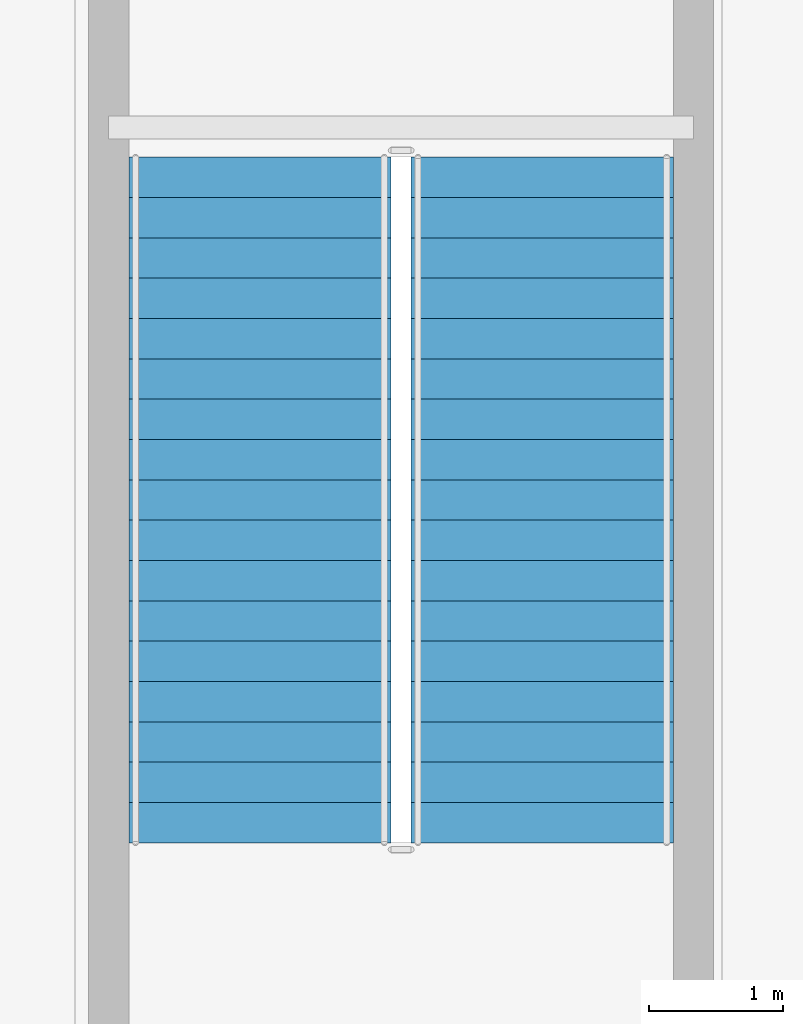
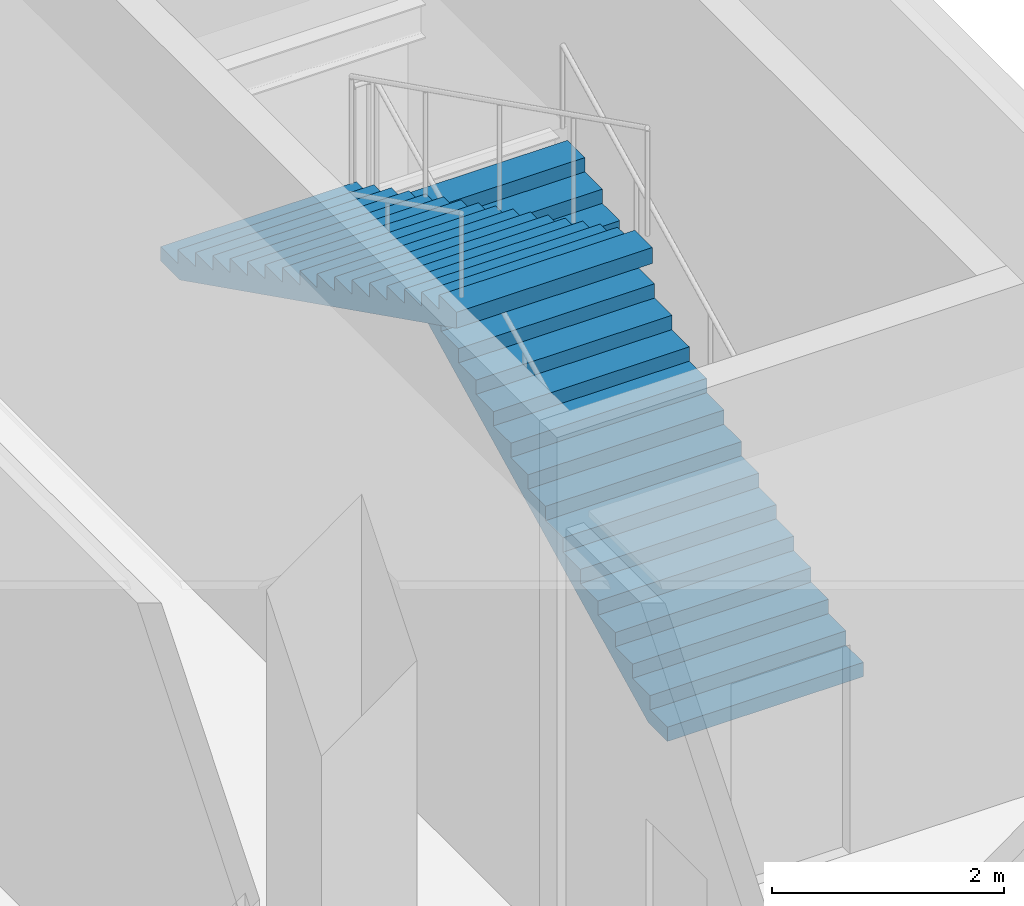
# One storey, part 32 of 43: 2 stair flights, 1 element without a shape of its own.
"""IFC4 building model written with IfcOpenShell, lengths in metres."""

from ifc_helpers import new_model, si_unit, direction, frame, origin, place, context, subcontext, project, spatial, polyline, outline, extrude, material, type_object, element, aggregate, save


model = new_model("IFC4")

# Units and contexts
model_context = context("Model", 3, precision=1e-05, world=origin(), true_north=direction((0.0, 1.0)))
body_context = subcontext(model_context, "Body", "Model", "MODEL_VIEW")
ifc_project = project(units=[si_unit("LENGTHUNIT", "METRE"), si_unit("AREAUNIT", "SQUARE_METRE"), si_unit("VOLUMEUNIT", "CUBIC_METRE"), si_unit("PLANEANGLEUNIT", "RADIAN"), si_unit("MASSUNIT", "GRAM", prefix="KILO")], contexts=[model_context])

# Site, building, storey
site_placement = place(None, origin())
site = spatial("IfcSite", under=ifc_project, at=site_placement, CompositionType="ELEMENT")
building_placement = place(site_placement, origin())
building = spatial("IfcBuilding", under=site, at=building_placement, Name="Punatoya Terracotta Tower", CompositionType="ELEMENT")
storey_placement = place(building_placement, frame((0.0, 0.0, 6.0)))
storey = spatial("IfcBuildingStorey", under=building, at=storey_placement, Name="L01", CompositionType="ELEMENT", Elevation=6.0)

# Stair, stair flights
ifc_material = material(Name="Concrete C40/50", Category="concrete")
stair_type = type_object("IfcStairType", Name="STR-POD-1800", PredefinedType="HALF_TURN_STAIR", material=ifc_material)
stair_placement = place(storey_placement, origin())
stair = element("IfcStair", 1, at=stair_placement, inside=storey, type_object=stair_type, Name="L01 Podium East Exit Stair ST-P2", PredefinedType="HALF_TURN_STAIR")
stair_flight_type = type_object("IfcStairFlightType", Name="SFL-POD-1800", PredefinedType="STRAIGHT", material=ifc_material)
stair_flight_1_placement = place(storey_placement, frame((33.574951171875, -6.85009765625, 0.0), z_axis=(0.0, 0.0, 1.0), x_axis=(0.0, 1.0, 0.0)))
stair_flight_1 = element("IfcStairFlight", 2, at=stair_flight_1_placement, type_object=stair_flight_type, Name="ST-P2 flight 1", NumberOfRisers=18, NumberOfTreads=17, PredefinedType="STRAIGHT", RiserHeight=0.15, TreadLength=0.3, context=body_context, shape_type="SweptSolid", body=[
    extrude(outline(polyline([(0.0, 0.0), (0.0, 0.14990234375), (0.300048828125, 0.14990234375), (0.300048828125, 0.300048828125), (0.60009765625, 0.300048828125), (0.60009765625, 0.449951171875), (0.89990234375, 0.449951171875), (0.89990234375, 0.60009765625), (1.199951171875, 0.60009765625), (1.199951171875, 0.75), (1.5, 0.75), (1.5, 0.89990234375), (1.800048828125, 0.89990234375), (1.800048828125, 1.050048828125), (2.10009765625, 1.050048828125), (2.10009765625, 1.199951171875), (2.39990234375, 1.199951171875), (2.39990234375, 1.35009765625), (2.699951171875, 1.35009765625), (2.699951171875, 1.5), (3.0, 1.5), (3.0, 1.64990234375), (3.300048828125, 1.64990234375), (3.300048828125, 1.800048828125), (3.60009765625, 1.800048828125), (3.60009765625, 1.949951171875), (3.89990234375, 1.949951171875), (3.89990234375, 2.10009765625), (4.199951171875, 2.10009765625), (4.199951171875, 2.25), (4.5, 2.25), (4.5, 2.39990234375), (4.800048828125, 2.39990234375), (4.800048828125, 2.550048828125), (5.10009765625, 2.550048828125), (5.10009765625, 2.699951171875), (5.10009765625, 2.38232421875), (0.335205078125, 0.0), (0.0, 0.0)])), frame((0.0, 0.97509765625, 0.0), z_axis=(0.0, -1.0, 0.0), x_axis=(1.0, 0.0, 0.0)), (0.0, 0.0, 1.0), 1.949951171875),
])
stair_flight_2_placement = place(storey_placement, frame((31.47509765625, -1.75, 2.699951171875), z_axis=(0.0, 0.0, 1.0), x_axis=(0.0, -1.0, 0.0)))
stair_flight_2 = element("IfcStairFlight", 3, at=stair_flight_2_placement, type_object=stair_flight_type, Name="ST-P2 flight 2", NumberOfRisers=18, NumberOfTreads=17, PredefinedType="STRAIGHT", RiserHeight=0.15, TreadLength=0.3, context=body_context, shape_type="SweptSolid", body=[
    extrude(outline(polyline([(0.0, 0.0), (0.0, 0.14990234375), (0.300048828125, 0.14990234375), (0.300048828125, 0.300048828125), (0.60009765625, 0.300048828125), (0.60009765625, 0.449951171875), (0.89990234375, 0.449951171875), (0.89990234375, 0.60009765625), (1.199951171875, 0.60009765625), (1.199951171875, 0.75), (1.5, 0.75), (1.5, 0.89990234375), (1.800048828125, 0.89990234375), (1.800048828125, 1.050048828125), (2.10009765625, 1.050048828125), (2.10009765625, 1.199951171875), (2.39990234375, 1.199951171875), (2.39990234375, 1.35009765625), (2.699951171875, 1.35009765625), (2.699951171875, 1.5), (3.0, 1.5), (3.0, 1.64990234375), (3.300048828125, 1.64990234375), (3.300048828125, 1.800048828125), (3.60009765625, 1.800048828125), (3.60009765625, 1.949951171875), (3.89990234375, 1.949951171875), (3.89990234375, 2.10009765625), (4.199951171875, 2.10009765625), (4.199951171875, 2.25), (4.5, 2.25), (4.5, 2.39990234375), (4.800048828125, 2.39990234375), (4.800048828125, 2.550048828125), (5.10009765625, 2.550048828125), (5.10009765625, 2.699951171875), (5.10009765625, 2.38232421875), (0.335205078125, 0.0), (0.0, 0.0)])), frame((0.0, 0.97509765625, 0.0), z_axis=(0.0, -1.0, 0.0), x_axis=(1.0, 0.0, 0.0)), (0.0, 0.0, 1.0), 1.949951171875),
])
aggregate(stair, [stair_flight_1, stair_flight_2])

save(model, "model.ifc")
